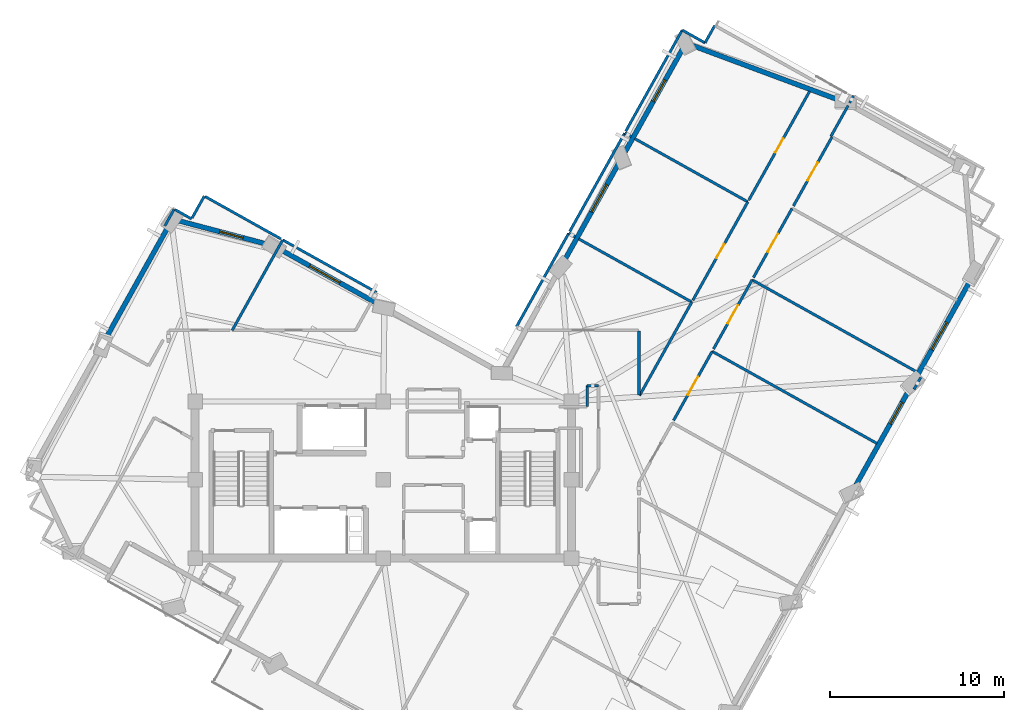
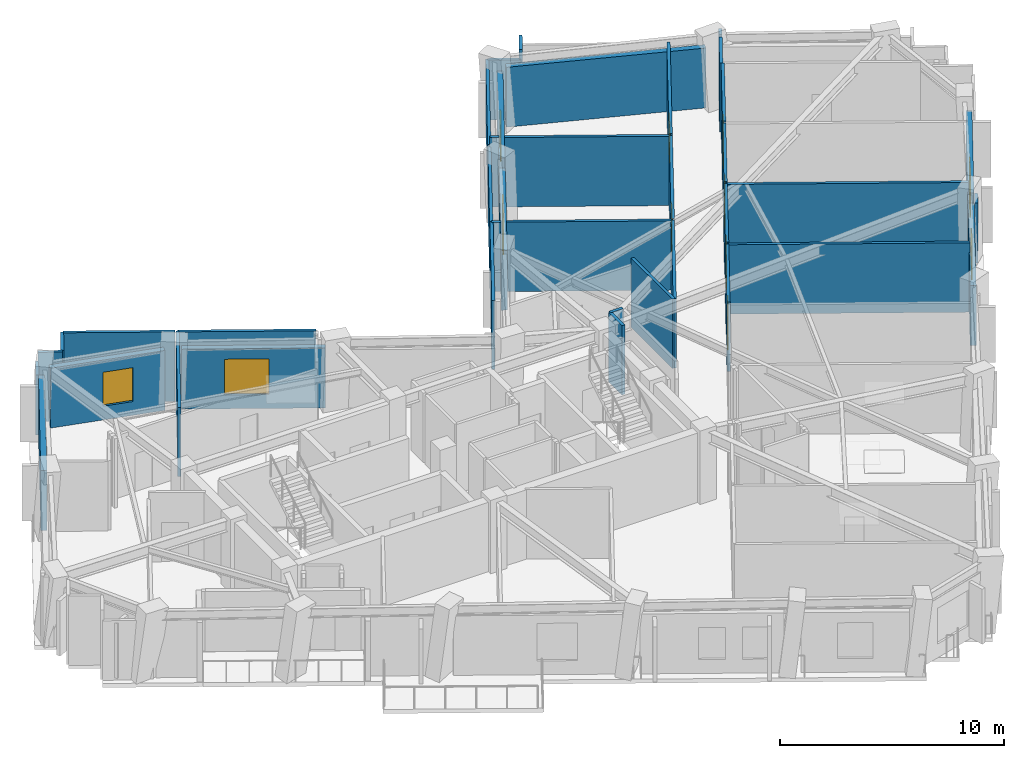
# One storey, part 6 of 11: 38 walls, 6 doors, 6 windows, 12 openings.
"""IFC4 building model written with IfcOpenShell, lengths in metres."""

from ifc_helpers import new_model, si_unit, direction, frame, frame_2d, origin, place, context, subcontext, project, spatial, rectangle, extrude, material, layer, layer_set, type_object, element, fill, save


model = new_model("IFC4")

# Units and contexts
model_context = context("Model", 3, precision=1e-05, world=origin(), true_north=direction((0.0, 1.0)))
body_context = subcontext(model_context, "Body", "Model", "MODEL_VIEW")
ifc_project = project(units=[si_unit("LENGTHUNIT", "METRE"), si_unit("AREAUNIT", "SQUARE_METRE"), si_unit("VOLUMEUNIT", "CUBIC_METRE"), si_unit("PLANEANGLEUNIT", "RADIAN"), si_unit("MASSUNIT", "GRAM", prefix="KILO")], contexts=[model_context])

# Site, building, storey
site_placement = place(None, origin())
site = spatial("IfcSite", under=ifc_project, at=site_placement, CompositionType="ELEMENT")
building_placement = place(site_placement, origin())
building = spatial("IfcBuilding", under=site, at=building_placement, Name="Gaonmaruhae Medical Tower", CompositionType="ELEMENT")
storey_placement = place(building_placement, frame((0.0, 0.0, 284.60009765625)))
storey = spatial("IfcBuildingStorey", under=building, at=storey_placement, Name="L68", CompositionType="ELEMENT", Elevation=284.60009765625)

# Wall, opening, window
ifc_material_1 = material(Name="Precast concrete C45/55", Category="concrete")
ifc_layer_1 = layer(ifc_material_1, 0.280029296875)
ifc_layer_set_1 = layer_set([ifc_layer_1], Name="Precast concrete C45/55")
wall_type_1 = type_object("IfcWallType", Name="EW-280 Upper Precast Masonry-Frame Facade Wall", PredefinedType="SOLIDWALL", material=ifc_layer_set_1)
wall_1_placement = place(storey_placement, frame((55.06591796875, 17.601318359375, 0.0), z_axis=(0.0, 0.0, 1.0), x_axis=(-0.487864059298, -0.872919618089, 0.0)))
wall_1 = element("IfcWall", 1, at=wall_1_placement, inside=storey, type_object=wall_type_1, Name="L68 Precast Masonry-Frame Wall S04-S05", PredefinedType="SOLIDWALL", context=body_context, shape_type="SweptSolid", body=[
    extrude(rectangle(XDim=6.406982421875, YDim=0.280029296875, at=frame_2d((3.20361328125, 0.0))), origin(), (0.0, 0.0, 1.0), 3.264892578125),
])
opening_1_placement = place(wall_1_placement, frame((0.98974609375, 0.0, 0.75)))
opening_1 = element("IfcOpeningElement", 2, at=opening_1_placement, cuts=wall_1, Name="Opening WN-03", PredefinedType="OPENING", context=body_context, shape_type="SweptSolid", body=[
    extrude(rectangle(XDim=1.39990234375, YDim=1.85009765625, at=frame_2d((0.699951171875, 0.925048828125))), frame((0.0, 0.14990234375, 0.0), z_axis=(0.0, -1.0, 0.0), x_axis=(1.0, 0.0, 0.0)), (0.0, 0.0, 1.0), 0.300048828125),
])
ifc_material_2 = material(Name="Anodised aluminium and Low-E double glazing", Category="aluminium")
window_type_1 = type_object("IfcWindowType", Name="WN-03 Isolation Ward Punched Window 1400x1850", PartitioningType="SINGLE_PANEL", PredefinedType="WINDOW", material=ifc_material_2)
window_1_placement = place(opening_1_placement, origin())
window_1 = element("IfcWindow", 3, at=window_1_placement, inside=storey, type_object=window_type_1, Name="L68 Modular Facade Window S04", OverallHeight=1.85009765625, OverallWidth=1.39990234375, PartitioningType="SINGLE_PANEL", PredefinedType="WINDOW", context=body_context, shape_type="SweptSolid", body=[
    extrude(rectangle(XDim=1.39990234375, YDim=1.85009765625, at=frame_2d((0.699951171875, 0.925048828125))), frame((0.0, 0.030029296875, 0.0), z_axis=(0.0, -1.0, 0.0), x_axis=(1.0, 0.0, 0.0)), (0.0, 0.0, 1.0), 0.06005859375),
])
fill(opening_1, window_1)

wall_2_placement = place(storey_placement, frame((58.583251953125, 23.89501953125, 0.0), z_axis=(0.0, 0.0, 1.0), x_axis=(-0.487866540421, -0.872918231415, 0.0)))
wall_2 = element("IfcWall", 4, at=wall_2_placement, inside=storey, type_object=wall_type_1, Name="L68 Precast Masonry-Frame Wall S05-S06", PredefinedType="SOLIDWALL", context=body_context, shape_type="SweptSolid", body=[
    extrude(rectangle(XDim=6.41845703125, YDim=0.280029296875, at=frame_2d((3.209228515625, 0.0))), origin(), (0.0, 0.0, 1.0), 3.264892578125),
])
opening_2_placement = place(wall_2_placement, frame((2.92822265625, 0.0, 0.75)))
opening_2 = element("IfcOpeningElement", 5, at=opening_2_placement, cuts=wall_2, Name="Opening WN-04", PredefinedType="OPENING", context=body_context, shape_type="SweptSolid", body=[
    extrude(rectangle(XDim=1.800048828125, YDim=2.050048828125, at=frame_2d((0.89990234375, 1.02490234375))), frame((0.0, 0.14990234375, 0.0), z_axis=(0.0, -1.0, 0.0), x_axis=(1.0, 0.0, 0.0)), (0.0, 0.0, 1.0), 0.300048828125),
])
window_type_2 = type_object("IfcWindowType", Name="WN-04 Clinic & Consult Punched Window 1800x2050", PartitioningType="SINGLE_PANEL", PredefinedType="WINDOW", material=ifc_material_2)
window_2_placement = place(opening_2_placement, origin())
window_2 = element("IfcWindow", 6, at=window_2_placement, inside=storey, type_object=window_type_2, Name="L68 Modular Facade Window S05", OverallHeight=2.050048828125, OverallWidth=1.800048828125, PartitioningType="SINGLE_PANEL", PredefinedType="WINDOW", context=body_context, shape_type="SweptSolid", body=[
    extrude(rectangle(XDim=1.800048828125, YDim=2.050048828125, at=frame_2d((0.89990234375, 1.02490234375))), frame((0.0, 0.030029296875, 0.0), z_axis=(0.0, -1.0, 0.0), x_axis=(1.0, 0.0, 0.0)), (0.0, 0.0, 1.0), 0.06005859375),
])
fill(opening_2, window_2)

# Wall
wall_3_placement = place(storey_placement, frame((42.426025390625, 37.270751953125, 0.0), z_axis=(0.0, 0.0, 1.0), x_axis=(0.937221029634, -0.348735919588, 0.0)))
element("IfcWall", 7, at=wall_3_placement, inside=storey, type_object=wall_type_1, Name="L68 Precast Masonry-Frame Wall E02-E03", PredefinedType="SOLIDWALL", context=body_context, shape_type="SweptSolid", body=[
    extrude(rectangle(XDim=9.03662109375, YDim=0.280029296875, at=frame_2d((4.518310546875, 0.0))), origin(), (0.0, 0.0, 1.0), 3.264892578125),
])

# Wall, opening, window
wall_4_placement = place(storey_placement, frame((38.682861328125, 31.12744140625, 0.0), z_axis=(0.0, 0.0, 1.0), x_axis=(0.48784879731, 0.872928147652, 0.0)))
wall_4 = element("IfcWall", 8, at=wall_4_placement, inside=storey, type_object=wall_type_1, Name="L68 Precast Masonry-Frame Wall E03-EN01", PredefinedType="SOLIDWALL", context=body_context, shape_type="SweptSolid", body=[
    extrude(rectangle(XDim=6.780029296875, YDim=0.280029296875, at=frame_2d((3.39013671875, 0.0))), origin(), (0.0, 0.0, 1.0), 3.264892578125),
])
opening_3_placement = place(wall_4_placement, frame((3.3125, 0.0, 0.75)))
opening_3 = element("IfcOpeningElement", 9, at=opening_3_placement, cuts=wall_4, Name="Opening WN-03", PredefinedType="OPENING", context=body_context, shape_type="SweptSolid", body=[
    extrude(rectangle(XDim=1.39990234375, YDim=1.85009765625, at=frame_2d((0.699951171875, 0.925048828125))), frame((0.0, 0.14990234375, 0.0), z_axis=(0.0, -1.0, 0.0), x_axis=(1.0, 0.0, 0.0)), (0.0, 0.0, 1.0), 0.300048828125),
])
window_3_placement = place(opening_3_placement, origin())
window_3 = element("IfcWindow", 10, at=window_3_placement, inside=storey, type_object=window_type_1, Name="L68 Modular Facade Window E03", OverallHeight=1.85009765625, OverallWidth=1.39990234375, PartitioningType="SINGLE_PANEL", PredefinedType="WINDOW", context=body_context, shape_type="SweptSolid", body=[
    extrude(rectangle(XDim=1.39990234375, YDim=1.85009765625, at=frame_2d((0.699951171875, 0.925048828125))), frame((0.0, 0.030029296875, 0.0), z_axis=(0.0, -1.0, 0.0), x_axis=(1.0, 0.0, 0.0)), (0.0, 0.0, 1.0), 0.06005859375),
])
fill(opening_3, window_3)

wall_5_placement = place(storey_placement, frame((35.173095703125, 24.847412109375, 0.0), z_axis=(0.0, 0.0, 1.0), x_axis=(0.487834163492, 0.872936325817, 0.0)))
wall_5 = element("IfcWall", 11, at=wall_5_placement, inside=storey, type_object=wall_type_1, Name="L68 Precast Masonry-Frame Wall EN01-EN02", PredefinedType="SOLIDWALL", context=body_context, shape_type="SweptSolid", body=[
    extrude(rectangle(XDim=6.409423828125, YDim=0.280029296875, at=frame_2d((3.20458984375, 0.0))), origin(), (0.0, 0.0, 1.0), 3.264892578125),
])
opening_4_placement = place(wall_5_placement, frame((3.23291015625, 0.0, 0.75)))
opening_4 = element("IfcOpeningElement", 12, at=opening_4_placement, cuts=wall_5, Name="Opening WN-04", PredefinedType="OPENING", context=body_context, shape_type="SweptSolid", body=[
    extrude(rectangle(XDim=1.800048828125, YDim=2.050048828125, at=frame_2d((0.89990234375, 1.02490234375))), frame((0.0, 0.14990234375, 0.0), z_axis=(0.0, -1.0, 0.0), x_axis=(1.0, 0.0, 0.0)), (0.0, 0.0, 1.0), 0.300048828125),
])
window_4_placement = place(opening_4_placement, origin())
window_4 = element("IfcWindow", 13, at=window_4_placement, inside=storey, type_object=window_type_2, Name="L68 Modular Facade Window EN01", OverallHeight=2.050048828125, OverallWidth=1.800048828125, PartitioningType="SINGLE_PANEL", PredefinedType="WINDOW", context=body_context, shape_type="SweptSolid", body=[
    extrude(rectangle(XDim=1.800048828125, YDim=2.050048828125, at=frame_2d((0.89990234375, 1.02490234375))), frame((0.0, 0.030029296875, 0.0), z_axis=(0.0, -1.0, 0.0), x_axis=(1.0, 0.0, 0.0)), (0.0, 0.0, 1.0), 0.06005859375),
])
fill(opening_4, window_4)

wall_6_placement = place(storey_placement, frame((18.913818359375, 25.50439453125, 0.0), z_axis=(0.0, 0.0, 1.0), x_axis=(0.872904924661, -0.487890348852, 0.0)))
wall_6 = element("IfcWall", 14, at=wall_6_placement, inside=storey, type_object=wall_type_1, Name="L68 Precast Masonry-Frame Wall NE01-NE02", PredefinedType="SOLIDWALL", context=body_context, shape_type="SweptSolid", body=[
    extrude(rectangle(XDim=6.424072265625, YDim=0.280029296875, at=frame_2d((3.2119140625, 0.0))), origin(), (0.0, 0.0, 1.0), 3.264892578125),
])
opening_5_placement = place(wall_6_placement, frame((1.901123046875, 0.0, 0.75)))
opening_5 = element("IfcOpeningElement", 15, at=opening_5_placement, cuts=wall_6, Name="Opening WN-02", PredefinedType="OPENING", context=body_context, shape_type="SweptSolid", body=[
    extrude(rectangle(XDim=2.0, YDim=1.949951171875, at=frame_2d((1.0, 0.97509765625))), frame((0.0, 0.14990234375, 0.0), z_axis=(0.0, -1.0, 0.0), x_axis=(1.0, 0.0, 0.0)), (0.0, 0.0, 1.0), 0.300048828125),
])
window_type_3 = type_object("IfcWindowType", Name="WN-02 Double-Bed Ward Punched Window 2000x1950", PartitioningType="SINGLE_PANEL", PredefinedType="WINDOW", material=ifc_material_2)
window_5_placement = place(opening_5_placement, origin())
window_5 = element("IfcWindow", 16, at=window_5_placement, inside=storey, type_object=window_type_3, Name="L68 Modular Facade Window NE01", OverallHeight=1.949951171875, OverallWidth=2.0, PartitioningType="SINGLE_PANEL", PredefinedType="WINDOW", context=body_context, shape_type="SweptSolid", body=[
    extrude(rectangle(XDim=2.0, YDim=1.949951171875, at=frame_2d((1.0, 0.97509765625))), frame((0.0, 0.030029296875, 0.0), z_axis=(0.0, -1.0, 0.0), x_axis=(1.0, 0.0, 0.0)), (0.0, 0.0, 1.0), 0.06005859375),
])
fill(opening_5, window_5)

wall_7_placement = place(storey_placement, frame((13.06591796875, 27.16357421875, 0.0), z_axis=(0.0, 0.0, 1.0), x_axis=(0.966736710516, -0.255773596253, 0.0)))
wall_7 = element("IfcWall", 17, at=wall_7_placement, inside=storey, type_object=wall_type_1, Name="L68 Precast Masonry-Frame Wall NE02-N01", PredefinedType="SOLIDWALL", context=body_context, shape_type="SweptSolid", body=[
    extrude(rectangle(XDim=5.30224609375, YDim=0.280029296875, at=frame_2d((2.651123046875, 0.0))), origin(), (0.0, 0.0, 1.0), 3.264892578125),
])
opening_6_placement = place(wall_7_placement, frame((2.419677734375, 0.0, 0.75)))
opening_6 = element("IfcOpeningElement", 18, at=opening_6_placement, cuts=wall_7, Name="Opening WN-03", PredefinedType="OPENING", context=body_context, shape_type="SweptSolid", body=[
    extrude(rectangle(XDim=1.39990234375, YDim=1.85009765625, at=frame_2d((0.699951171875, 0.925048828125))), frame((0.0, 0.14990234375, 0.0), z_axis=(0.0, -1.0, 0.0), x_axis=(1.0, 0.0, 0.0)), (0.0, 0.0, 1.0), 0.300048828125),
])
window_6_placement = place(opening_6_placement, origin())
window_6 = element("IfcWindow", 19, at=window_6_placement, inside=storey, type_object=window_type_1, Name="L68 Modular Facade Window NE02", OverallHeight=1.85009765625, OverallWidth=1.39990234375, PartitioningType="SINGLE_PANEL", PredefinedType="WINDOW", context=body_context, shape_type="SweptSolid", body=[
    extrude(rectangle(XDim=1.39990234375, YDim=1.85009765625, at=frame_2d((0.699951171875, 0.925048828125))), frame((0.0, 0.030029296875, 0.0), z_axis=(0.0, -1.0, 0.0), x_axis=(1.0, 0.0, 0.0)), (0.0, 0.0, 1.0), 0.06005859375),
])
fill(opening_6, window_6)

# Wall
wall_8_placement = place(storey_placement, frame((8.798095703125, 20.290283203125, 0.0), z_axis=(0.0, 0.0, 1.0), x_axis=(0.487844174759, 0.872930731017, 0.0)))
element("IfcWall", 20, at=wall_8_placement, inside=storey, type_object=wall_type_1, Name="L68 Precast Masonry-Frame Wall N01-N02", PredefinedType="SOLIDWALL", context=body_context, shape_type="SweptSolid", body=[
    extrude(rectangle(XDim=7.43408203125, YDim=0.280029296875, at=frame_2d((3.717041015625, 0.0))), origin(), (0.0, 0.0, 1.0), 3.264892578125),
])

# Wall, opening, door
ifc_material_3 = material(Name="Gypsum board partition", Category="gypsum")
ifc_layer_2 = layer(ifc_material_3, 0.14990234375)
ifc_layer_set_2 = layer_set([ifc_layer_2], Name="Gypsum board partition")
wall_type_2 = type_object("IfcWallType", Name="PW-150 Rated Clinical Corridor Partition", PredefinedType="PARTITIONING", material=ifc_layer_set_2)
wall_9_placement = place(storey_placement, frame((41.464111328125, 15.7080078125, 0.0), z_axis=(0.0, 0.0, 1.0), x_axis=(0.487869568795, 0.872916538876, 0.0)))
wall_9 = element("IfcWall", 21, at=wall_9_placement, inside=storey, type_object=wall_type_2, Name="L68 Interior Partition L68-SUP06-29", PredefinedType="PARTITIONING", context=body_context, shape_type="SweptSolid", body=[
    extrude(rectangle(XDim=4.539794921875, YDim=0.14990234375, at=frame_2d((2.27001953125, 0.0))), origin(), (0.0, 0.0, 1.0), 3.77978515625),
])
opening_7_placement = place(wall_9_placement, frame((1.669921875, 0.0, 0.0)))
opening_7 = element("IfcOpeningElement", 22, at=opening_7_placement, cuts=wall_9, Name="Opening CD-02", PredefinedType="OPENING", context=body_context, shape_type="SweptSolid", body=[
    extrude(rectangle(XDim=1.199951171875, YDim=2.14990234375, at=frame_2d((0.60009765625, 1.074951171875))), frame((0.0, 0.0849609375, 0.0), z_axis=(0.0, -1.0, 0.0), x_axis=(1.0, 0.0, 0.0)), (0.0, 0.0, 1.0), 0.169921875),
])
ifc_material_4 = material(Name="Antimicrobial laminate timber fire door", Category="wood")
door_type_1 = type_object("IfcDoorType", Name="CD-02 Clinical Treatment & Procedure Door 1200x2150", OperationType="NOTDEFINED", PredefinedType="DOOR", material=ifc_material_4)
door_1_placement = place(opening_7_placement, origin())
door_1 = element("IfcDoor", 23, at=door_1_placement, inside=storey, type_object=door_type_1, Name="L68 Clinical Biomedical Charting Office Door", OperationType="SINGLE_SWING_LEFT", OverallHeight=2.14990234375, OverallWidth=1.199951171875, PredefinedType="DOOR", context=body_context, shape_type="SweptSolid", body=[
    extrude(rectangle(XDim=1.199951171875, YDim=2.14990234375, at=frame_2d((0.60009765625, 1.074951171875))), frame((0.0, 0.02490234375, 0.0), z_axis=(0.0, -1.0, 0.0), x_axis=(1.0, 0.0, 0.0)), (0.0, 0.0, 1.0), 0.050048828125),
])
fill(opening_7, door_1)

# Wall
wall_10_placement = place(storey_placement, frame((43.678955078125, 19.6708984375, 0.0), z_axis=(0.0, 0.0, 1.0), x_axis=(0.872922597233, -0.487858728774, 0.0)))
element("IfcWall", 24, at=wall_10_placement, inside=storey, type_object=wall_type_2, Name="L68 Interior Partition L68-SUP06-30", PredefinedType="PARTITIONING", context=body_context, shape_type="SweptSolid", body=[
    extrude(rectangle(XDim=10.8349609375, YDim=0.14990234375, at=frame_2d((5.41748046875, 0.0))), origin(), (0.0, 0.0, 1.0), 3.77978515625),
])

# Wall, opening, door
wall_11_placement = place(storey_placement, frame((43.757080078125, 19.81103515625, 0.0), z_axis=(0.0, 0.0, 1.0), x_axis=(0.487869568795, 0.872916538876, 0.0)))
wall_11 = element("IfcWall", 25, at=wall_11_placement, inside=storey, type_object=wall_type_2, Name="L68 Interior Partition L68-SUP07-32", PredefinedType="PARTITIONING", context=body_context, shape_type="SweptSolid", body=[
    extrude(rectangle(XDim=4.539794921875, YDim=0.14990234375, at=frame_2d((2.27001953125, 0.0))), origin(), (0.0, 0.0, 1.0), 3.77978515625),
])
opening_8_placement = place(wall_11_placement, frame((1.669921875, 0.0, 0.0)))
opening_8 = element("IfcOpeningElement", 26, at=opening_8_placement, cuts=wall_11, Name="Opening CD-02", PredefinedType="OPENING", context=body_context, shape_type="SweptSolid", body=[
    extrude(rectangle(XDim=1.199951171875, YDim=2.14990234375, at=frame_2d((0.60009765625, 1.074951171875))), frame((0.0, 0.0849609375, 0.0), z_axis=(0.0, -1.0, 0.0), x_axis=(1.0, 0.0, 0.0)), (0.0, 0.0, 1.0), 0.169921875),
])
door_2_placement = place(opening_8_placement, origin())
door_2 = element("IfcDoor", 27, at=door_2_placement, inside=storey, type_object=door_type_1, Name="L68 Clinical Biomedical Charting Office Door", OperationType="SINGLE_SWING_RIGHT", OverallHeight=2.14990234375, OverallWidth=1.199951171875, PredefinedType="DOOR", context=body_context, shape_type="SweptSolid", body=[
    extrude(rectangle(XDim=1.199951171875, YDim=2.14990234375, at=frame_2d((0.60009765625, 1.074951171875))), frame((0.0, 0.02490234375, 0.0), z_axis=(0.0, -1.0, 0.0), x_axis=(1.0, 0.0, 0.0)), (0.0, 0.0, 1.0), 0.050048828125),
])
fill(opening_8, door_2)

# Walls
wall_12_placement = place(storey_placement, frame((45.971923828125, 23.77392578125, 0.0), z_axis=(0.0, 0.0, 1.0), x_axis=(0.872922597233, -0.487858728774, 0.0)))
element("IfcWall", 28, at=wall_12_placement, inside=storey, type_object=wall_type_2, Name="L68 Interior Partition L68-SUP07-33", PredefinedType="PARTITIONING", context=body_context, shape_type="SweptSolid", body=[
    extrude(rectangle(XDim=10.8349609375, YDim=0.14990234375, at=frame_2d((5.41748046875, 0.0))), origin(), (0.0, 0.0, 1.0), 3.77978515625),
])
wall_13_placement = place(storey_placement, frame((55.653076171875, 18.179931640625, 0.0), z_axis=(0.0, 0.0, 1.0), x_axis=(-0.487710731174, -0.873005293625, 0.0)))
element("IfcWall", 29, at=wall_13_placement, inside=storey, type_object=wall_type_2, Name="L68 Interior Partition L68-SUP07-34", PredefinedType="PARTITIONING", context=body_context, shape_type="SweptSolid", body=[
    extrude(rectangle(XDim=0.79150390625, YDim=0.14990234375, at=frame_2d((0.395751953125, 0.0))), origin(), (0.0, 0.0, 1.0), 3.264892578125),
])

# Wall, opening, door
wall_14_placement = place(storey_placement, frame((46.050048828125, 23.9140625, 0.0), z_axis=(0.0, 0.0, 1.0), x_axis=(0.487869568795, 0.872916538876, 0.0)))
wall_14 = element("IfcWall", 30, at=wall_14_placement, inside=storey, type_object=wall_type_2, Name="L68 Interior Partition L68-SUP08-35", PredefinedType="PARTITIONING", context=body_context, shape_type="SweptSolid", body=[
    extrude(rectangle(XDim=4.539794921875, YDim=0.14990234375, at=frame_2d((2.27001953125, 0.0))), origin(), (0.0, 0.0, 1.0), 3.77978515625),
])
opening_9_placement = place(wall_14_placement, frame((1.669921875, 0.0, 0.0)))
opening_9 = element("IfcOpeningElement", 31, at=opening_9_placement, cuts=wall_14, Name="Opening CD-02", PredefinedType="OPENING", context=body_context, shape_type="SweptSolid", body=[
    extrude(rectangle(XDim=1.199951171875, YDim=2.14990234375, at=frame_2d((0.60009765625, 1.074951171875))), frame((0.0, 0.0849609375, 0.0), z_axis=(0.0, -1.0, 0.0), x_axis=(1.0, 0.0, 0.0)), (0.0, 0.0, 1.0), 0.169921875),
])
door_3_placement = place(opening_9_placement, origin())
door_3 = element("IfcDoor", 32, at=door_3_placement, inside=storey, type_object=door_type_1, Name="L68 Clinical Biomedical Charting Office Door", OperationType="SINGLE_SWING_RIGHT", OverallHeight=2.14990234375, OverallWidth=1.199951171875, PredefinedType="DOOR", context=body_context, shape_type="SweptSolid", body=[
    extrude(rectangle(XDim=1.199951171875, YDim=2.14990234375, at=frame_2d((0.60009765625, 1.074951171875))), frame((0.0, 0.02490234375, 0.0), z_axis=(0.0, -1.0, 0.0), x_axis=(1.0, 0.0, 0.0)), (0.0, 0.0, 1.0), 0.050048828125),
])
fill(opening_9, door_3)

wall_15_placement = place(storey_placement, frame((48.343017578125, 28.01611328125, 0.0), z_axis=(0.0, 0.0, 1.0), x_axis=(0.487705632738, 0.873008141884, 0.0)))
wall_15 = element("IfcWall", 33, at=wall_15_placement, inside=storey, type_object=wall_type_2, Name="L68 Interior Partition L68-SUP09-38", PredefinedType="PARTITIONING", context=body_context, shape_type="SweptSolid", body=[
    extrude(rectangle(XDim=4.539306640625, YDim=0.14990234375, at=frame_2d((2.26953125, 0.0))), origin(), (0.0, 0.0, 1.0), 3.77978515625),
])
opening_10_placement = place(wall_15_placement, frame((1.669921875, 0.0, 0.0)))
opening_10 = element("IfcOpeningElement", 34, at=opening_10_placement, cuts=wall_15, Name="Opening CD-02", PredefinedType="OPENING", context=body_context, shape_type="SweptSolid", body=[
    extrude(rectangle(XDim=1.199951171875, YDim=2.14990234375, at=frame_2d((0.60009765625, 1.074951171875))), frame((0.0, 0.0849609375, 0.0), z_axis=(0.0, -1.0, 0.0), x_axis=(1.0, 0.0, 0.0)), (0.0, 0.0, 1.0), 0.169921875),
])
door_4_placement = place(opening_10_placement, origin())
door_4 = element("IfcDoor", 35, at=door_4_placement, inside=storey, type_object=door_type_1, Name="L68 Clinical Biomedical Charting Office Door", OperationType="SINGLE_SWING_RIGHT", OverallHeight=2.14990234375, OverallWidth=1.199951171875, PredefinedType="DOOR", context=body_context, shape_type="SweptSolid", body=[
    extrude(rectangle(XDim=1.199951171875, YDim=2.14990234375, at=frame_2d((0.60009765625, 1.074951171875))), frame((0.0, 0.02490234375, 0.0), z_axis=(0.0, -1.0, 0.0), x_axis=(1.0, 0.0, 0.0)), (0.0, 0.0, 1.0), 0.050048828125),
])
fill(opening_10, door_4)

# Walls
wall_16_placement = place(storey_placement, frame((36.5, 16.5, 0.0), z_axis=(0.0, 0.0, 1.0), x_axis=(0.0, 1.0, 0.0)))
element("IfcWall", 36, at=wall_16_placement, inside=storey, type_object=wall_type_2, Name="L68 Interior Partition L68-IE02-64", PredefinedType="PARTITIONING", context=body_context, shape_type="SweptSolid", body=[
    extrude(rectangle(XDim=1.199951171875, YDim=0.14990234375, at=frame_2d((0.60009765625, 0.0))), origin(), (0.0, 0.0, 1.0), 3.77978515625),
])
wall_17_placement = place(storey_placement, frame((36.5, 17.699951171875, 0.0), z_axis=(0.0, 0.0, 1.0), x_axis=(1.0, 0.0, 0.0)))
element("IfcWall", 37, at=wall_17_placement, inside=storey, type_object=wall_type_2, Name="L68 Interior Partition L68-IE02-65", PredefinedType="PARTITIONING", context=body_context, shape_type="SweptSolid", body=[
    extrude(rectangle(XDim=0.64990234375, YDim=0.14990234375, at=frame_2d((0.324951171875, 0.0))), origin(), (0.0, 0.0, 1.0), 3.77978515625),
])
wall_18_placement = place(storey_placement, frame((32.44189453125, 21.087890625, 0.0), z_axis=(0.0, 0.0, 1.0), x_axis=(0.487898852852, 0.872900171489, 0.0)))
element("IfcWall", 38, at=wall_18_placement, inside=storey, type_object=wall_type_2, Name="L68 Interior Partition L68-IE03-72", PredefinedType="PARTITIONING", context=body_context, shape_type="SweptSolid", body=[
    extrude(rectangle(XDim=6.142822265625, YDim=0.14990234375, at=frame_2d((3.0712890625, 0.0))), origin(), (0.0, 0.0, 1.0), 3.77978515625),
])
wall_19_placement = place(storey_placement, frame((35.43896484375, 26.449951171875, 0.0), z_axis=(0.0, 0.0, 1.0), x_axis=(0.872908280471, -0.487884344784, 0.0)))
element("IfcWall", 39, at=wall_19_placement, inside=storey, type_object=wall_type_2, Name="L68 Interior Partition L68-IE03-73", PredefinedType="PARTITIONING", context=body_context, shape_type="SweptSolid", body=[
    extrude(rectangle(XDim=0.434326171875, YDim=0.14990234375, at=frame_2d((0.21728515625, 0.0))), origin(), (0.0, 0.0, 1.0), 3.77978515625),
])
wall_20_placement = place(storey_placement, frame((36.01904296875, 26.1259765625, 0.0), z_axis=(0.0, 0.0, 1.0), x_axis=(0.872932377171, -0.487841229179, 0.0)))
element("IfcWall", 40, at=wall_20_placement, inside=storey, type_object=wall_type_2, Name="L68 Interior Partition L68-IE03-74", PredefinedType="PARTITIONING", context=body_context, shape_type="SweptSolid", body=[
    extrude(rectangle(XDim=7.434814453125, YDim=0.14990234375, at=frame_2d((3.71728515625, 0.0))), origin(), (0.0, 0.0, 1.0), 3.77978515625),
])
wall_21_placement = place(storey_placement, frame((42.509033203125, 22.4990234375, 0.0), z_axis=(0.0, 0.0, 1.0), x_axis=(-0.487777705872, -0.872967874354, 0.0)))
element("IfcWall", 41, at=wall_21_placement, inside=storey, type_object=wall_type_2, Name="L68 Interior Partition L68-IE03-75", PredefinedType="PARTITIONING", context=body_context, shape_type="SweptSolid", body=[
    extrude(rectangle(XDim=6.142333984375, YDim=0.14990234375, at=frame_2d((3.0712890625, 0.0))), origin(), (0.0, 0.0, 1.0), 3.77978515625),
])
wall_22_placement = place(storey_placement, frame((39.47998046875, 17.155029296875, 0.0), z_axis=(0.0, 0.0, 1.0), x_axis=(0.0, 1.0, 0.0)))
element("IfcWall", 42, at=wall_22_placement, inside=storey, type_object=wall_type_2, Name="L68 Interior Partition L68-IE03-76", PredefinedType="PARTITIONING", context=body_context, shape_type="SweptSolid", body=[
    extrude(rectangle(XDim=3.697998046875, YDim=0.14990234375, at=frame_2d((1.84912109375, 0.0))), origin(), (0.0, 0.0, 1.0), 3.77978515625),
])

# Wall, opening, door
wall_23_placement = place(storey_placement, frame((45.72509765625, 28.2529296875, 0.0), z_axis=(0.0, 0.0, 1.0), x_axis=(-0.487784157337, -0.872964269515, 0.0)))
wall_23 = element("IfcWall", 43, at=wall_23_placement, inside=storey, type_object=wall_type_2, Name="L68 Interior Partition L68-IE04-77", PredefinedType="PARTITIONING", context=body_context, shape_type="SweptSolid", body=[
    extrude(rectangle(XDim=6.47216796875, YDim=0.14990234375, at=frame_2d((3.236083984375, 0.0))), origin(), (0.0, 0.0, 1.0), 3.77978515625),
])
opening_11_placement = place(wall_23_placement, frame((2.776123046875, 0.0, 0.0)))
opening_11 = element("IfcOpeningElement", 44, at=opening_11_placement, cuts=wall_23, Name="Opening UD-01", PredefinedType="OPENING", context=body_context, shape_type="SweptSolid", body=[
    extrude(rectangle(XDim=0.919921875, YDim=2.10009765625, at=frame_2d((0.4599609375, 1.050048828125))), frame((0.0, 0.0849609375, 0.0), z_axis=(0.0, -1.0, 0.0), x_axis=(1.0, 0.0, 0.0)), (0.0, 0.0, 1.0), 0.169921875),
])
ifc_material_5 = material(Name="Powder-coated steel utility door", Category="steel")
door_type_2 = type_object("IfcDoorType", Name="UD-01 Toilet, Utility & Housekeeping Door 920x2100", OperationType="NOTDEFINED", PredefinedType="DOOR", material=ifc_material_5)
door_5_placement = place(opening_11_placement, origin())
door_5 = element("IfcDoor", 45, at=door_5_placement, inside=storey, type_object=door_type_2, Name="L68 Accessible Public Toilet Door", OperationType="SINGLE_SWING_RIGHT", OverallHeight=2.10009765625, OverallWidth=0.919921875, PredefinedType="DOOR", context=body_context, shape_type="SweptSolid", body=[
    extrude(rectangle(XDim=0.919921875, YDim=2.10009765625, at=frame_2d((0.4599609375, 1.050048828125))), frame((0.0, 0.02490234375, 0.0), z_axis=(0.0, -1.0, 0.0), x_axis=(1.0, 0.0, 0.0)), (0.0, 0.0, 1.0), 0.050048828125),
])
fill(opening_11, door_5)

# Walls
wall_24_placement = place(storey_placement, frame((35.4970703125, 26.554931640625, 0.0), z_axis=(0.0, 0.0, 1.0), x_axis=(0.487883067862, 0.872908994165, 0.0)))
element("IfcWall", 46, at=wall_24_placement, inside=storey, type_object=wall_type_2, Name="L68 Interior Partition L68-IE04-78", PredefinedType="PARTITIONING", context=body_context, shape_type="SweptSolid", body=[
    extrude(rectangle(XDim=6.472900390625, YDim=0.14990234375, at=frame_2d((3.236328125, 0.0))), origin(), (0.0, 0.0, 1.0), 3.264892578125),
])
wall_25_placement = place(storey_placement, frame((38.655029296875, 32.205078125, 0.0), z_axis=(0.0, 0.0, 1.0), x_axis=(0.873069949715, -0.487594978343, 0.0)))
element("IfcWall", 47, at=wall_25_placement, inside=storey, type_object=wall_type_2, Name="L68 Interior Partition L68-IE04-79", PredefinedType="PARTITIONING", context=body_context, shape_type="SweptSolid", body=[
    extrude(rectangle(XDim=0.43505859375, YDim=0.14990234375, at=frame_2d((0.217529296875, 0.0))), origin(), (0.0, 0.0, 1.0), 3.77978515625),
])
wall_26_placement = place(storey_placement, frame((39.235107421875, 31.881103515625, 0.0), z_axis=(0.0, 0.0, 1.0), x_axis=(0.872862453115, -0.487966328697, 0.0)))
element("IfcWall", 48, at=wall_26_placement, inside=storey, type_object=wall_type_2, Name="L68 Interior Partition L68-IE04-80", PredefinedType="PARTITIONING", context=body_context, shape_type="SweptSolid", body=[
    extrude(rectangle(XDim=7.435302734375, YDim=0.14990234375, at=frame_2d((3.7177734375, 0.0))), origin(), (0.0, 0.0, 1.0), 3.77978515625),
])
wall_27_placement = place(storey_placement, frame((43.26708984375, 37.383056640625, 0.0), z_axis=(0.0, 0.0, 1.0), x_axis=(0.487787748021, 0.872962263148, 0.0)))
element("IfcWall", 49, at=wall_27_placement, inside=storey, type_object=wall_type_2, Name="L68 Interior Partition L68-IE05-81", PredefinedType="PARTITIONING", context=body_context, shape_type="SweptSolid", body=[
    extrude(rectangle(XDim=1.1396484375, YDim=0.14990234375, at=frame_2d((0.56982421875, 0.0))), origin(), (0.0, 0.0, 1.0), 3.77978515625),
])

# Wall, opening, door
wall_28_placement = place(storey_placement, frame((49.27294921875, 34.60009765625, 0.0), z_axis=(0.0, 0.0, 1.0), x_axis=(-0.487899403607, -0.87289986365, 0.0)))
wall_28 = element("IfcWall", 50, at=wall_28_placement, inside=storey, type_object=wall_type_2, Name="L68 Interior Partition L68-IE05-83", PredefinedType="PARTITIONING", context=body_context, shape_type="SweptSolid", body=[
    extrude(rectangle(XDim=7.151123046875, YDim=0.14990234375, at=frame_2d((3.57568359375, 0.0))), origin(), (0.0, 0.0, 1.0), 3.77978515625),
])
opening_12_placement = place(wall_28_placement, frame((3.115478515625, 0.0, 0.0)))
opening_12 = element("IfcOpeningElement", 51, at=opening_12_placement, cuts=wall_28, Name="Opening UD-01", PredefinedType="OPENING", context=body_context, shape_type="SweptSolid", body=[
    extrude(rectangle(XDim=0.919921875, YDim=2.10009765625, at=frame_2d((0.4599609375, 1.050048828125))), frame((0.0, 0.0849609375, 0.0), z_axis=(0.0, -1.0, 0.0), x_axis=(1.0, 0.0, 0.0)), (0.0, 0.0, 1.0), 0.169921875),
])
door_6_placement = place(opening_12_placement, origin())
door_6 = element("IfcDoor", 52, at=door_6_placement, inside=storey, type_object=door_type_2, Name="L68 Ward Housekeeping and Linen Store Door", OperationType="SINGLE_SWING_RIGHT", OverallHeight=2.10009765625, OverallWidth=0.919921875, PredefinedType="DOOR", context=body_context, shape_type="SweptSolid", body=[
    extrude(rectangle(XDim=0.919921875, YDim=2.10009765625, at=frame_2d((0.4599609375, 1.050048828125))), frame((0.0, 0.02490234375, 0.0), z_axis=(0.0, -1.0, 0.0), x_axis=(1.0, 0.0, 0.0)), (0.0, 0.0, 1.0), 0.050048828125),
])
fill(opening_12, door_6)

# Walls
wall_29_placement = place(storey_placement, frame((38.712890625, 32.30908203125, 0.0), z_axis=(0.0, 0.0, 1.0), x_axis=(0.487894574141, 0.872902563018, 0.0)))
element("IfcWall", 53, at=wall_29_placement, inside=storey, type_object=wall_type_2, Name="L68 Interior Partition L68-IE05-84", PredefinedType="PARTITIONING", context=body_context, shape_type="SweptSolid", body=[
    extrude(rectangle(XDim=6.6513671875, YDim=0.14990234375, at=frame_2d((3.32568359375, 0.0))), origin(), (0.0, 0.0, 1.0), 3.264892578125),
])
wall_30_placement = place(storey_placement, frame((41.9580078125, 38.114990234375, 0.0), z_axis=(0.0, 0.0, 1.0), x_axis=(0.872833365232, -0.488018356763, 0.0)))
element("IfcWall", 54, at=wall_30_placement, inside=storey, type_object=wall_type_2, Name="L68 Interior Partition L68-IE05-85", PredefinedType="PARTITIONING", context=body_context, shape_type="SweptSolid", body=[
    extrude(rectangle(XDim=1.499755859375, YDim=0.14990234375, at=frame_2d((0.75, 0.0))), origin(), (0.0, 0.0, 1.0), 3.264892578125),
])
wall_31_placement = place(storey_placement, frame((16.126953125, 20.8798828125, 0.0), z_axis=(0.0, 0.0, 1.0), x_axis=(0.48784436071, 0.872930627096, 0.0)))
element("IfcWall", 55, at=wall_31_placement, inside=storey, type_object=wall_type_2, Name="L68 Interior Partition L68-IN02-87", PredefinedType="PARTITIONING", context=body_context, shape_type="SweptSolid", body=[
    extrude(rectangle(XDim=5.94677734375, YDim=0.14990234375, at=frame_2d((2.973388671875, 0.0))), origin(), (0.0, 0.0, 1.0), 3.77978515625),
])
wall_32_placement = place(storey_placement, frame((19.028076171875, 26.071044921875, 0.0), z_axis=(0.0, 0.0, 1.0), x_axis=(0.872924680728, -0.487855000769, 0.0)))
element("IfcWall", 56, at=wall_32_placement, inside=storey, type_object=wall_type_2, Name="L68 Interior Partition L68-IN02-88", PredefinedType="PARTITIONING", context=body_context, shape_type="SweptSolid", body=[
    extrude(rectangle(XDim=6.180419921875, YDim=0.14990234375, at=frame_2d((3.09033203125, 0.0))), origin(), (0.0, 0.0, 1.0), 3.77978515625),
])
wall_33_placement = place(storey_placement, frame((12.259033203125, 26.8720703125, 0.0), z_axis=(0.0, 0.0, 1.0), x_axis=(0.487821357665, 0.872943482137, 0.0)))
element("IfcWall", 57, at=wall_33_placement, inside=storey, type_object=wall_type_2, Name="L68 Interior Partition L68-IN03-94", PredefinedType="PARTITIONING", context=body_context, shape_type="SweptSolid", body=[
    extrude(rectangle(XDim=1.10302734375, YDim=0.14990234375, at=frame_2d((0.551513671875, 0.0))), origin(), (0.0, 0.0, 1.0), 3.264892578125),
])
wall_34_placement = place(storey_placement, frame((12.841064453125, 27.81103515625, 0.0), z_axis=(0.0, 0.0, 1.0), x_axis=(0.872334102779, -0.488910230133, 0.0)))
element("IfcWall", 58, at=wall_34_placement, inside=storey, type_object=wall_type_2, Name="L68 Interior Partition L68-IN03-95", PredefinedType="PARTITIONING", context=body_context, shape_type="SweptSolid", body=[
    extrude(rectangle(XDim=1.090087890625, YDim=0.14990234375, at=frame_2d((0.544921875, 0.0))), origin(), (0.0, 0.0, 1.0), 3.77978515625),
])
wall_35_placement = place(storey_placement, frame((13.81591796875, 27.322021484375, 0.0), z_axis=(0.0, 0.0, 1.0), x_axis=(0.488141996305, 0.872764224429, 0.0)))
element("IfcWall", 59, at=wall_35_placement, inside=storey, type_object=wall_type_2, Name="L68 Interior Partition L68-IN03-96", PredefinedType="PARTITIONING", context=body_context, shape_type="SweptSolid", body=[
    extrude(rectangle(XDim=1.450439453125, YDim=0.14990234375, at=frame_2d((0.72509765625, 0.0))), origin(), (0.0, 0.0, 1.0), 3.77978515625),
])
wall_36_placement = place(storey_placement, frame((14.568115234375, 28.56396484375, 0.0), z_axis=(0.0, 0.0, 1.0), x_axis=(0.872824564781, -0.488034096262, 0.0)))
element("IfcWall", 60, at=wall_36_placement, inside=storey, type_object=wall_type_2, Name="L68 Interior Partition L68-IN03-97", PredefinedType="PARTITIONING", context=body_context, shape_type="SweptSolid", body=[
    extrude(rectangle(XDim=4.989501953125, YDim=0.14990234375, at=frame_2d((2.49462890625, 0.0))), origin(), (0.0, 0.0, 1.0), 3.77978515625),
])
wall_37_placement = place(storey_placement, frame((50.49609375, 32.012939453125, 0.0), z_axis=(0.0, 0.0, 1.0), x_axis=(0.487910811587, 0.872893487166, 0.0)))
element("IfcWall", 61, at=wall_37_placement, inside=storey, type_object=wall_type_2, Name="L68 Interior Partition L68-RM04-108", PredefinedType="PARTITIONING", context=body_context, shape_type="SweptSolid", body=[
    extrude(rectangle(XDim=2.0185546875, YDim=0.14990234375, at=frame_2d((1.00927734375, 0.0))), origin(), (0.0, 0.0, 1.0), 3.77978515625),
])
wall_38_placement = place(storey_placement, frame((51.571044921875, 33.93603515625, 0.0), z_axis=(0.0, 0.0, 1.0), x_axis=(0.486864926044, 0.873477271478, 0.0)))
element("IfcWall", 62, at=wall_38_placement, inside=storey, type_object=wall_type_2, Name="L68 Interior Partition L68-RM04-109", PredefinedType="PARTITIONING", context=body_context, shape_type="SweptSolid", body=[
    extrude(rectangle(XDim=0.457763671875, YDim=0.14990234375, at=frame_2d((0.22900390625, 0.0))), origin(), (0.0, 0.0, 1.0), 3.77978515625),
])

save(model, "model.ifc")
